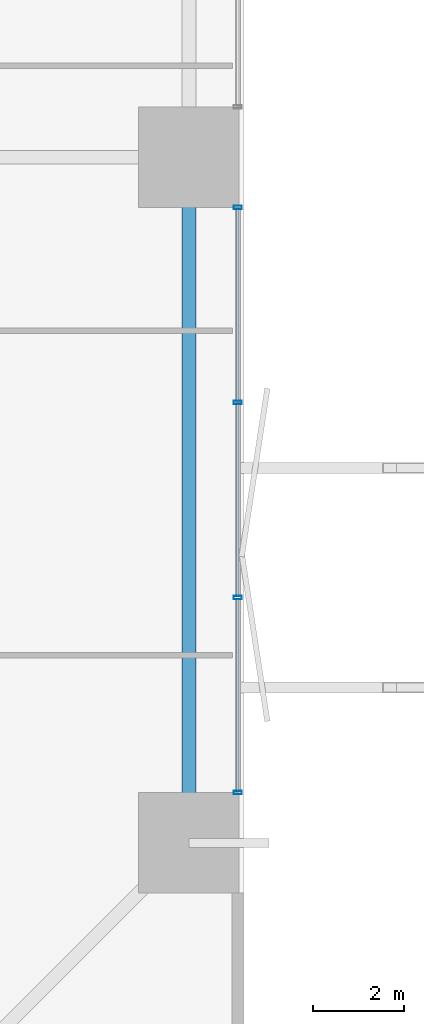
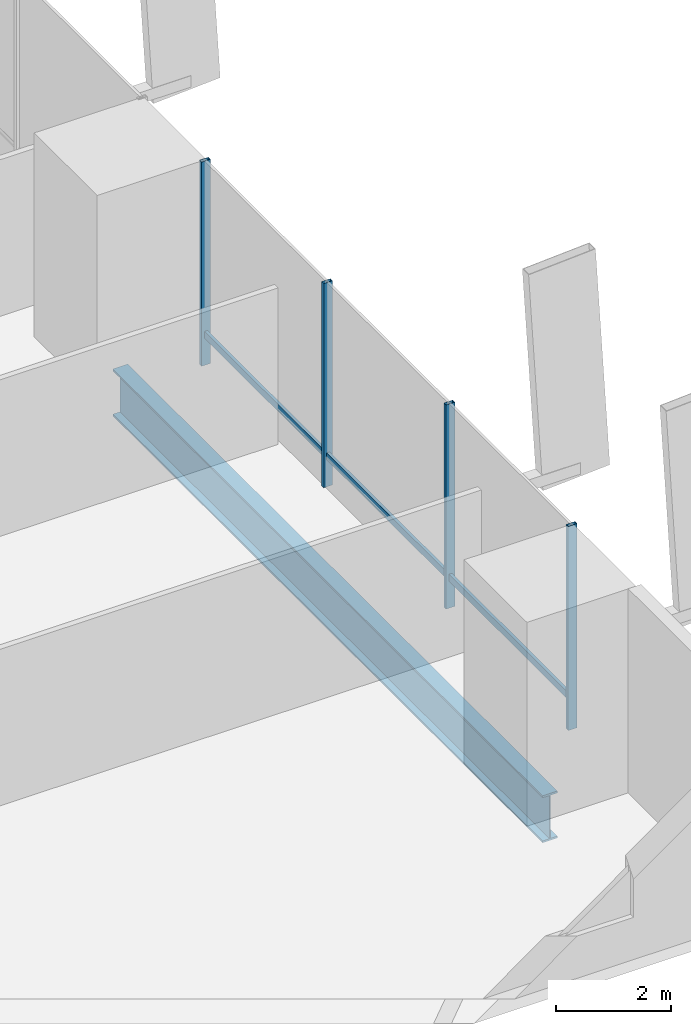
# One storey, part 8 of 24: 7 members, 1 beam, 1 element without a shape of its own.
"""IFC4 building model written with IfcOpenShell, lengths in metres."""

from ifc_helpers import new_model, si_unit, direction, frame, origin, origin_2d, place, context, subcontext, project, spatial, hollow_rectangle, i_section, extrude, material, layer, layer_set, material_profile, profile_set, type_object, element, aggregate, save


model = new_model("IFC4")

# Units and contexts
model_context = context("Model", 3, precision=1e-05, world=origin(), true_north=direction((0.0, 1.0)))
body_context = subcontext(model_context, "Body", "Model", "MODEL_VIEW")
ifc_project = project(units=[si_unit("LENGTHUNIT", "METRE"), si_unit("AREAUNIT", "SQUARE_METRE"), si_unit("VOLUMEUNIT", "CUBIC_METRE"), si_unit("PLANEANGLEUNIT", "RADIAN"), si_unit("MASSUNIT", "GRAM", prefix="KILO")], contexts=[model_context])

# Site, building, storey
site_placement = place(None, origin())
site = spatial("IfcSite", under=ifc_project, at=site_placement, CompositionType="ELEMENT")
building_placement = place(site_placement, origin())
building = spatial("IfcBuilding", under=site, at=building_placement, Name="Belovzor Exchange Tower", CompositionType="ELEMENT")
storey_placement = place(building_placement, frame((0.0, 0.0, 19.199951171875)))
storey = spatial("IfcBuildingStorey", under=building, at=storey_placement, Name="L04", CompositionType="ELEMENT", Elevation=19.199951171875)

# Beam
ifc_material_1 = material(Name="Steel S460", Category="steel")
ifc_material_profile_1 = material_profile(ifc_material_1, i_section(OverallWidth=0.300048828125, OverallDepth=1.0, WebThickness=0.02099609375, FlangeThickness=0.0400390625, at=origin_2d()))
ifc_profile_set_1 = profile_set([ifc_material_profile_1], Name="Steel S460")
beam_type = type_object("IfcBeamType", Name="Podium Exchange Hall Ring Girder HEM 1000", PredefinedType="BEAM", material=ifc_profile_set_1)
beam_placement = place(storey_placement, frame((55.800048828125, 13.800048828125, -0.849853515625), z_axis=(0.0, 1.0, 0.0), x_axis=(-1.0, 0.0, 0.0)))
element("IfcBeam", 1, at=beam_placement, inside=storey, type_object=beam_type, Name="PG-1 Podium Exchange Hall Ring Girder HEM 1000", PredefinedType="BEAM", context=body_context, shape_type="SweptSolid", body=[
    extrude(i_section(OverallWidth=0.300048828125, OverallDepth=1.0, WebThickness=0.02099609375, FlangeThickness=0.0400390625, at=origin_2d()), origin(), (0.0, 0.0, 1.0), 15.0),
])

# Curtain wall, members
ifc_material_2 = material(Name="Anodised Aluminium Framing", Category="aluminium")
ifc_layer = layer(ifc_material_2, 0.2099609375)
ifc_layer_set = layer_set([ifc_layer], Name="Anodised Aluminium Framing")
curtain_wall_type = type_object("IfcCurtainWallType", Name="Double-Height Concourse & Gallery Curtain Wall", PredefinedType="NOTDEFINED", material=ifc_layer_set)
curtain_wall_placement = place(storey_placement, origin())
curtain_wall = element("IfcCurtainWall", 2, at=curtain_wall_placement, inside=storey, type_object=curtain_wall_type, Name="CW2 Double-Height Concourse & Gallery Curtain Wall L04", PredefinedType="NOTDEFINED")
ifc_material_3 = material(Name="Steel S355", Category="steel")
ifc_material_profile_2 = material_profile(ifc_material_3, hollow_rectangle(XDim=0.074951171875, YDim=0.179931640625, WallThickness=0.0048828125, at=origin_2d()))
ifc_profile_set_2 = profile_set([ifc_material_profile_2], Name="Steel S355")
member_type_1 = type_object("IfcMemberType", Name="Thermally Broken Curtain Wall Mullion 180x75", PredefinedType="MULLION", material=ifc_profile_set_2)
member_1_placement = place(storey_placement, frame((56.8701171875, 27.699951171875, 0.0), z_axis=(0.0, 0.0, 1.0), x_axis=(0.0, -1.0, 0.0)))
member_1 = element("IfcMember", 3, at=member_1_placement, type_object=member_type_1, Name="CW-M180 Curtain Wall Mullion 1", PredefinedType="MULLION", context=body_context, shape_type="SweptSolid", body=[
    extrude(hollow_rectangle(XDim=0.074951171875, YDim=0.179931640625, WallThickness=0.0048828125, at=origin_2d()), origin(), (0.0, 0.0, 1.0), 4.35009765625),
])
member_2_placement = place(storey_placement, frame((56.8701171875, 23.43310546875, 0.0), z_axis=(0.0, 0.0, 1.0), x_axis=(0.0, -1.0, 0.0)))
member_2 = element("IfcMember", 4, at=member_2_placement, type_object=member_type_1, Name="CW-M180 Curtain Wall Mullion 2", PredefinedType="MULLION", context=body_context, shape_type="SweptSolid", body=[
    extrude(hollow_rectangle(XDim=0.074951171875, YDim=0.179931640625, WallThickness=0.0048828125, at=origin_2d()), origin(), (0.0, 0.0, 1.0), 4.35009765625),
])
member_3_placement = place(storey_placement, frame((56.8701171875, 19.1669921875, 0.0), z_axis=(0.0, 0.0, 1.0), x_axis=(0.0, -1.0, 0.0)))
member_3 = element("IfcMember", 5, at=member_3_placement, type_object=member_type_1, Name="CW-M180 Curtain Wall Mullion 3", PredefinedType="MULLION", context=body_context, shape_type="SweptSolid", body=[
    extrude(hollow_rectangle(XDim=0.074951171875, YDim=0.179931640625, WallThickness=0.0048828125, at=origin_2d()), origin(), (0.0, 0.0, 1.0), 4.35009765625),
])
member_4_placement = place(storey_placement, frame((56.8701171875, 14.89990234375, 0.0), z_axis=(0.0, 0.0, 1.0), x_axis=(0.0, -1.0, 0.0)))
member_4 = element("IfcMember", 6, at=member_4_placement, type_object=member_type_1, Name="CW-M180 Curtain Wall Mullion 4", PredefinedType="MULLION", context=body_context, shape_type="SweptSolid", body=[
    extrude(hollow_rectangle(XDim=0.074951171875, YDim=0.179931640625, WallThickness=0.0048828125, at=origin_2d()), origin(), (0.0, 0.0, 1.0), 4.35009765625),
])
ifc_material_4 = material(Name="Steel S355", Category="steel")
ifc_material_profile_3 = material_profile(ifc_material_4, hollow_rectangle(XDim=0.06005859375, YDim=0.14990234375, WallThickness=0.00390625, at=origin_2d()))
ifc_profile_set_3 = profile_set([ifc_material_profile_3], Name="Steel S355")
member_type_2 = type_object("IfcMemberType", Name="Thermally Broken Curtain Wall Transom 150x60", PredefinedType="USERDEFINED", material=ifc_profile_set_3)
member_5_placement = place(storey_placement, frame((56.8701171875, 27.69189453125, 0.650146484375), z_axis=(0.0, -1.0, 0.0), x_axis=(1.0, 0.0, 0.0)))
member_5 = element("IfcMember", 7, at=member_5_placement, type_object=member_type_2, Name="CW-T150 Curtain Wall Transom 1", ObjectType="TRANSOM", PredefinedType="USERDEFINED", context=body_context, shape_type="SweptSolid", body=[
    extrude(hollow_rectangle(XDim=0.06005859375, YDim=0.14990234375, WallThickness=0.00390625, at=origin_2d()), origin(), (0.0, 0.0, 1.0), 4.2509765625),
])
member_6_placement = place(storey_placement, frame((56.8701171875, 23.425048828125, 0.650146484375), z_axis=(0.0, -1.0, 0.0), x_axis=(1.0, 0.0, 0.0)))
member_6 = element("IfcMember", 8, at=member_6_placement, type_object=member_type_2, Name="CW-T150 Curtain Wall Transom 2", ObjectType="TRANSOM", PredefinedType="USERDEFINED", context=body_context, shape_type="SweptSolid", body=[
    extrude(hollow_rectangle(XDim=0.06005859375, YDim=0.14990234375, WallThickness=0.00390625, at=origin_2d()), origin(), (0.0, 0.0, 1.0), 4.25),
])
member_7_placement = place(storey_placement, frame((56.8701171875, 19.158935546875, 0.650146484375), z_axis=(0.0, -1.0, 0.0), x_axis=(1.0, 0.0, 0.0)))
member_7 = element("IfcMember", 9, at=member_7_placement, type_object=member_type_2, Name="CW-T150 Curtain Wall Transom 3", ObjectType="TRANSOM", PredefinedType="USERDEFINED", context=body_context, shape_type="SweptSolid", body=[
    extrude(hollow_rectangle(XDim=0.06005859375, YDim=0.14990234375, WallThickness=0.00390625, at=origin_2d()), origin(), (0.0, 0.0, 1.0), 4.2509765625),
])
aggregate(curtain_wall, [member_1, member_2, member_3, member_4, member_5, member_6, member_7])

save(model, "model.ifc")
